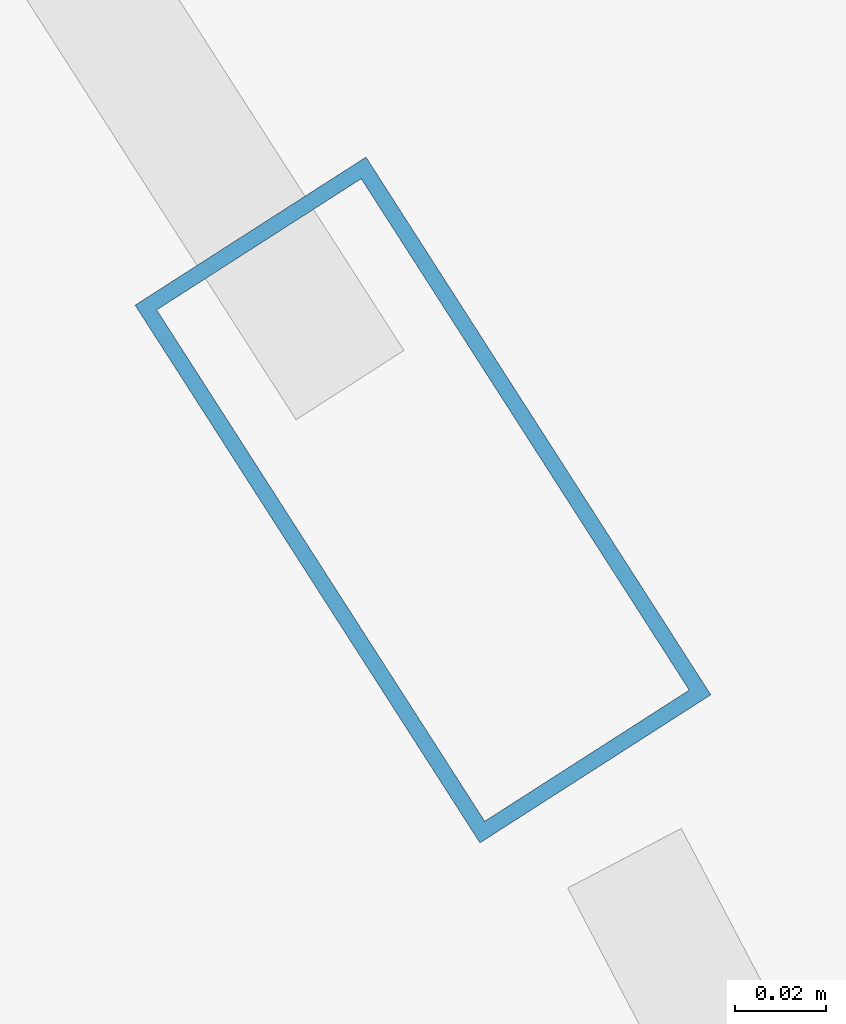
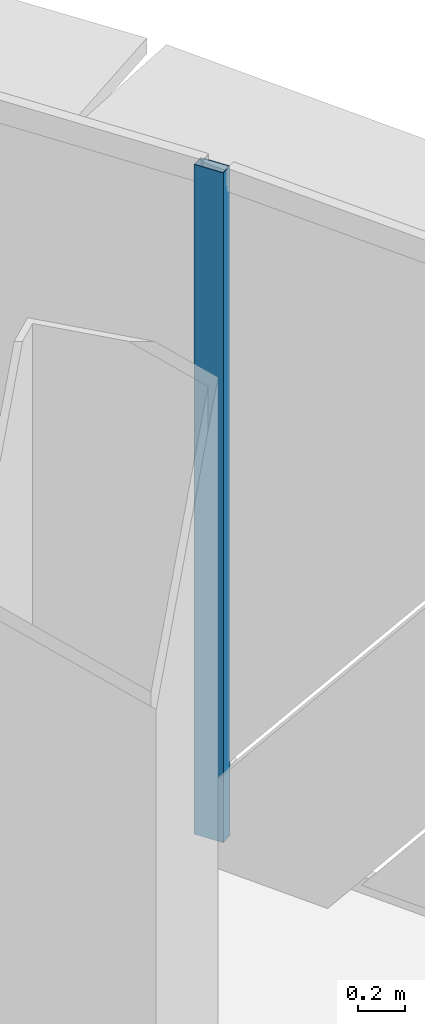
# One storey, part 23 of 37: 1 member, 1 element without a shape of its own.
"""IFC4 building model written with IfcOpenShell, lengths in metres."""

from ifc_helpers import new_model, si_unit, direction, frame, origin, origin_2d, place, context, subcontext, project, spatial, hollow_rectangle, extrude, source, transform, mapped, material, layer, layer_set, material_profile, profile_set, type_object, element, aggregate, save


model = new_model("IFC4")

# Units and contexts
model_context = context("Model", 3, precision=1e-05, world=origin(), true_north=direction((0.0, 1.0)))
body_context = subcontext(model_context, "Body", "Model", "MODEL_VIEW")
ifc_project = project(units=[si_unit("LENGTHUNIT", "METRE"), si_unit("AREAUNIT", "SQUARE_METRE"), si_unit("VOLUMEUNIT", "CUBIC_METRE"), si_unit("PLANEANGLEUNIT", "RADIAN"), si_unit("MASSUNIT", "GRAM", prefix="KILO"), si_unit("THERMODYNAMICTEMPERATUREUNIT", "KELVIN"), si_unit("POWERUNIT", "WATT")], contexts=[model_context])

# Site, building, storey
site_placement = place(None, origin())
site = spatial("IfcSite", under=ifc_project, at=site_placement, CompositionType="ELEMENT")
building_placement = place(site_placement, origin())
building = spatial("IfcBuilding", under=site, at=building_placement, Name="Yunzhuo Pagoda Commons", CompositionType="ELEMENT")
storey_placement = place(building_placement, frame((0.0, 0.0, 255.719970703125)))
storey = spatial("IfcBuildingStorey", under=building, at=storey_placement, Name="L64", CompositionType="ELEMENT", Elevation=255.719970703125)

# Curtain wall, member
ifc_material = material(Name="Anodized aluminium 6063-T6", Category="aluminium")
ifc_layer = layer(ifc_material, 0.139892578125)
ifc_layer_set = layer_set([ifc_layer], Name="Anodized aluminium 6063-T6")
curtain_wall_type = type_object("IfcCurtainWallType", Name="CW-HI High-Zone Ribbon Curtain Wall", PredefinedType="NOTDEFINED", material=ifc_layer_set)
curtain_wall_placement = place(storey_placement, origin())
curtain_wall = element("IfcCurtainWall", 1, at=curtain_wall_placement, inside=storey, type_object=curtain_wall_type, Name="L64 curtain wall CW-L64-F2B4", PredefinedType="NOTDEFINED")
ifc_material_profile = material_profile(ifc_material, hollow_rectangle(XDim=0.06005859375, YDim=0.139892578125, WallThickness=0.00341796875, at=origin_2d()), Name="Anodized aluminium 6063-T6")
ifc_profile_set = profile_set([ifc_material_profile], Name="Anodized aluminium 6063-T6")
member_type = type_object("IfcMemberType", Name="CW-HI-M Mullion RHS 140x60x3.5", PredefinedType="MULLION", material=ifc_profile_set)
shared_shape = source(origin(), body_context, "Body", "SweptSolid", [
    extrude(hollow_rectangle(XDim=0.06005859375, YDim=0.139892578125, WallThickness=0.00341796875, at=origin_2d()), origin(), (0.0, 0.0, 1.0), 3.469970703125),
])
member_placement = place(storey_placement, frame((69.8857421875, 53.44580078125, 0.0), z_axis=(0.0, 0.0, 1.0), x_axis=(-0.841750083847, -0.539867387738, 0.0)))
member = element("IfcMember", 2, at=member_placement, type_object=member_type, Name="CW mullion 1", PredefinedType="MULLION", context=body_context, shape_type="MappedRepresentation", body=[
    mapped(shared_shape, transform((0.0, 0.0, 0.0), scale=1.0)),
])
aggregate(curtain_wall, [member])

save(model, "model.ifc")
